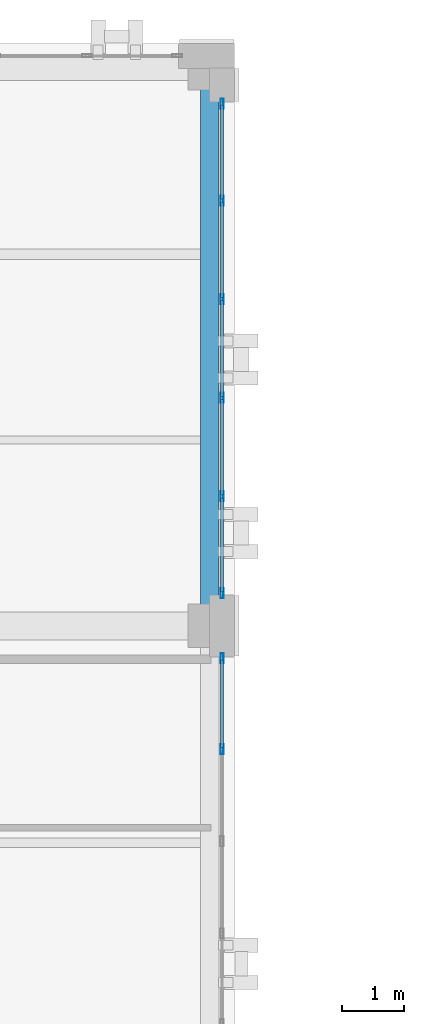
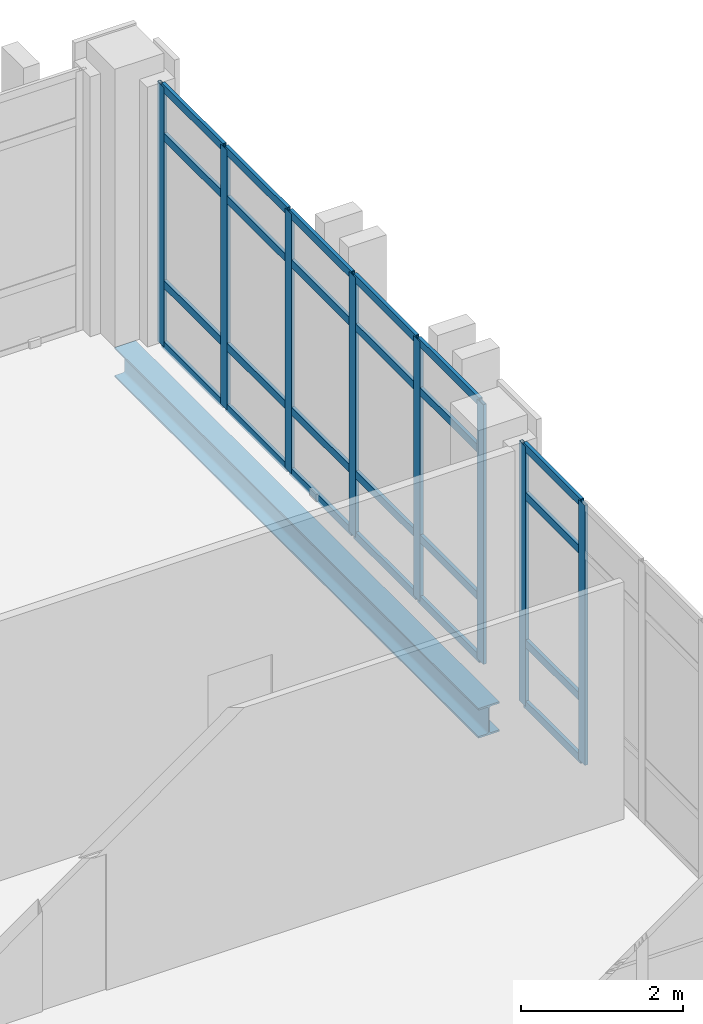
# One storey, part 109 of 158: 32 members, 1 beam, 2 elements without a shape of their own.
"""IFC4 building model written with IfcOpenShell, lengths in metres."""

import ifcopenshell
import ifcopenshell.guid

model = None  # the IFC model being written
_history = None  # IfcOwnerHistory: only IFC2X3 demands one
_inside = {}  # id of a spatial element -> (the spatial element, [elements in it])
_under = {}  # id of a project, library or spatial element -> (it, [spatial elements below it])
_declared = {}  # id of a project -> (the project, [libraries it declares])
_typed = {}  # id of a type object -> (the type object, [elements of that type])
_made_of = {}  # id of a material, layer set ... -> (it, [elements and type objects made of it])


def new_model(schema):
    """Start an empty IFC model of exactly this schema.

    Asked for "IFC4X3", IfcOpenShell would pick the latest addendum, in which some entities
    have other attributes; the version numbers below select the first issue.
    IFC2X3 requires an IfcOwnerHistory on every rooted entity: one is made here for all.
    """
    global model, _history
    if schema == "IFC4X3":
        model = ifcopenshell.file(schema_version=(4, 3, 0, 0))
    else:
        model = ifcopenshell.file(schema=schema)
    _inside.clear()
    _under.clear()
    _declared.clear()
    _typed.clear()
    _made_of.clear()
    _history = None
    if model.schema == "IFC2X3":
        org = make("IfcOrganization", Name="unknown")
        user = make(
            "IfcPersonAndOrganization",
            ThePerson=make("IfcPerson", FamilyName="unknown"),
            TheOrganization=org,
        )
        app = make(
            "IfcApplication",
            ApplicationDeveloper=org,
            Version="unknown",
            ApplicationFullName="unknown",
            ApplicationIdentifier="unknown",
        )
        _history = make(
            "IfcOwnerHistory",
            OwningUser=user,
            OwningApplication=app,
            ChangeAction="ADDED",
            CreationDate=0,
        )
    return model


def make(cls, **values):
    """One entity of the class cls with the attributes given. An attribute that is None is left unset."""
    return model.create_entity(
        cls, **{name: value for name, value in values.items() if value is not None}
    )


def rooted(cls, **values):
    """An entity with a GlobalId (a new one), such as an element, a storey or a relation."""
    return make(cls, GlobalId=ifcopenshell.guid.new(), OwnerHistory=_history, **values)


def si_unit(unit_type, name, prefix=None):
    """IfcSIUnit, for example si_unit("LENGTHUNIT", "METRE", prefix="MILLI")."""
    return make("IfcSIUnit", UnitType=unit_type, Prefix=prefix, Name=name)


def assignment(units):
    """IfcUnitAssignment: the units of a project."""
    return None if units is None else make("IfcUnitAssignment", Units=units)


def point(xyz):
    """IfcCartesianPoint."""
    return None if xyz is None else make("IfcCartesianPoint", Coordinates=xyz)


def direction(xyz):
    """IfcDirection."""
    return None if xyz is None else make("IfcDirection", DirectionRatios=xyz)


def frame(location, z_axis=None, x_axis=None):
    """IfcAxis2Placement3D, a coordinate frame: its origin and axes. An axis left out is left unset."""
    return make(
        "IfcAxis2Placement3D",
        Location=point(location),
        Axis=direction(z_axis),
        RefDirection=direction(x_axis),
    )


def frame_2d(location, x_axis=None):
    """IfcAxis2Placement2D, a coordinate frame in the plane: its origin and x axis."""
    return make(
        "IfcAxis2Placement2D", Location=point(location), RefDirection=direction(x_axis)
    )


def origin():
    """The frame at (0, 0, 0) with its axes left unset."""
    return frame((0.0, 0.0, 0.0))


def origin_2d():
    """The frame at (0, 0) in the plane with its x axis left unset."""
    return frame_2d((0.0, 0.0))


def place(relative_to, where):
    """IfcLocalPlacement: puts the frame where relative to a parent placement (None: the world)."""
    return make(
        "IfcLocalPlacement", PlacementRelTo=relative_to, RelativePlacement=where
    )


def context(
    kind, dimensions, precision=None, world=None, true_north=None, identifier=None
):
    """IfcGeometricRepresentationContext, for example the 3D "Model" context."""
    return make(
        "IfcGeometricRepresentationContext",
        ContextIdentifier=identifier,
        ContextType=kind,
        CoordinateSpaceDimension=dimensions,
        Precision=precision,
        WorldCoordinateSystem=world,
        TrueNorth=true_north,
    )


def subcontext(parent, identifier, kind, view, scale=None):
    """IfcGeometricRepresentationSubContext, for example "Body" below "Model"."""
    return make(
        "IfcGeometricRepresentationSubContext",
        ContextIdentifier=identifier,
        ContextType=kind,
        ParentContext=parent,
        TargetScale=scale,
        TargetView=view,
    )


def project(units=None, contexts=None):
    """IfcProject with its units and contexts."""
    return rooted(
        "IfcProject",
        Name="project",
        RepresentationContexts=contexts,
        UnitsInContext=assignment(units),
    )


def spatial(cls, under=None, at=None, **own):
    """A site, building, storey or space (cls), placed at a placement, below another one or the project."""
    s = rooted(cls, ObjectPlacement=at, **own)
    if under is not None:
        _under.setdefault(under.id(), (under, []))[1].append(s)
    return s


def profile(cls, at=None, kind="AREA", **sizes):
    """A parametric profile (cls). Its sizes go by their IFC names, for example OverallWidth=200.0."""
    return make(cls, ProfileType=kind, Position=at, **sizes)


def hollow_rectangle(**sizes):
    """IfcRectangleHollowProfileDef."""
    return profile("IfcRectangleHollowProfileDef", **sizes)


def i_section(**sizes):
    """IfcIShapeProfileDef."""
    return profile("IfcIShapeProfileDef", **sizes)


def extrude(swept, where, along, depth):
    """IfcExtrudedAreaSolid: the profile swept, set in the frame where, extruded along a direction by depth."""
    return make(
        "IfcExtrudedAreaSolid",
        SweptArea=swept,
        Position=where,
        ExtrudedDirection=direction(along),
        Depth=depth,
    )


def shape(context_of_items, identifier, shape_type, items):
    """IfcShapeRepresentation: the items that make up one representation, for example the "Body"."""
    return make(
        "IfcShapeRepresentation",
        ContextOfItems=context_of_items,
        RepresentationIdentifier=identifier,
        RepresentationType=shape_type,
        Items=items,
    )


def material(Name=None, Category=None):
    """IfcMaterial."""
    return make("IfcMaterial", Name=Name, Category=Category)


def layer(
    of_material, thickness, ventilated=None, Name=None, Category=None, Priority=None
):
    """IfcMaterialLayer: one layer of a wall or slab, of a material (None: an air gap)."""
    return make(
        "IfcMaterialLayer",
        Material=of_material,
        LayerThickness=thickness,
        IsVentilated=ventilated,
        Name=Name,
        Category=Category,
        Priority=Priority,
    )


def layer_set(layers, Name=None):
    """IfcMaterialLayerSet."""
    return make("IfcMaterialLayerSet", MaterialLayers=layers, LayerSetName=Name)


def material_profile(
    of_material, cross_section, Name=None, Category=None, Priority=None
):
    """IfcMaterialProfile: a cross section and its material."""
    return make(
        "IfcMaterialProfile",
        Name=Name,
        Material=of_material,
        Profile=cross_section,
        Priority=Priority,
        Category=Category,
    )


def profile_set(profiles, Name=None, composite=None):
    """IfcMaterialProfileSet."""
    return make(
        "IfcMaterialProfileSet",
        Name=Name,
        MaterialProfiles=profiles,
        CompositeProfile=composite,
    )


def made_of(thing, what):
    """Note that an element or type object is made of a material, layer set ...; save() writes the relation."""
    if what is not None:
        _made_of.setdefault(what.id(), (what, []))[1].append(thing)
    return thing


def type_object(cls, material=None, **own):
    """A type object (cls), such as IfcWallType, which elements share."""
    return made_of(rooted(cls, **own), material)


def element(
    cls,
    number,
    at=None,
    inside=None,
    cuts=None,
    type_object=None,
    material=None,
    context=None,
    identifier="Body",
    shape_type=None,
    held_by="IfcProductDefinitionShape",
    body=None,
    shapes=None,
    **own,
):
    """One element of the class cls, such as IfcWall. Its Tag is "e" and its number.

    at: its placement. inside: the storey or other place that contains it. cuts: it is an
    opening in that element (IfcRelVoidsElement). A single representation is given by context,
    identifier, shape_type and body (its items); several are given by shapes. held_by: the class
    of the entity that holds the representations. save() writes the other relations.
    """
    e = rooted(cls, Tag="e%d" % number, ObjectPlacement=at, **own)
    if body is not None:
        shapes = [shape(context, identifier, shape_type, body)]
    if shapes is not None:
        e.Representation = make(held_by, Representations=shapes)
    if inside is not None:
        _inside.setdefault(inside.id(), (inside, []))[1].append(e)
    if cuts is not None:
        rooted(
            "IfcRelVoidsElement", RelatingBuildingElement=cuts, RelatedOpeningElement=e
        )
    if type_object is not None:
        _typed.setdefault(type_object.id(), (type_object, []))[1].append(e)
    return made_of(e, material)


def aggregate(whole, parts):
    """IfcRelAggregates: a whole, such as a stair, and the parts it consists of."""
    return rooted("IfcRelAggregates", RelatingObject=whole, RelatedObjects=parts)


def save(model, path):
    """Write the relations noted so far, then the file.

    IfcRelAggregates (storeys below a building ...), IfcRelContainedInSpatialStructure (elements
    in a storey), IfcRelDefinesByType, IfcRelAssociatesMaterial and IfcRelDeclares: one each for
    every whole, place, type object, material and project.
    """
    for whole, parts in _under.values():
        aggregate(whole, parts)
    for where, things in _inside.values():
        rooted(
            "IfcRelContainedInSpatialStructure",
            RelatedElements=things,
            RelatingStructure=where,
        )
    for kind, things in _typed.values():
        rooted("IfcRelDefinesByType", RelatedObjects=things, RelatingType=kind)
    for what, things in _made_of.values():
        rooted("IfcRelAssociatesMaterial", RelatedObjects=things, RelatingMaterial=what)
    for by, libraries in _declared.values():
        rooted("IfcRelDeclares", RelatingContext=by, RelatedDefinitions=libraries)
    model.write(path)


model = new_model("IFC4")

# Units and contexts
model_context = context("Model", 3, precision=1e-05, world=origin(), true_north=direction((0.0, 1.0)))
body_context = subcontext(model_context, "Body", "Model", "MODEL_VIEW")
ifc_project = project(units=[si_unit("LENGTHUNIT", "METRE"), si_unit("AREAUNIT", "SQUARE_METRE"), si_unit("VOLUMEUNIT", "CUBIC_METRE"), si_unit("PLANEANGLEUNIT", "RADIAN"), si_unit("MASSUNIT", "GRAM", prefix="KILO")], contexts=[model_context])

# Site, building, storey
site_placement = place(None, origin())
site = spatial("IfcSite", under=ifc_project, at=site_placement, CompositionType="ELEMENT")
building_placement = place(site_placement, origin())
building = spatial("IfcBuilding", under=site, at=building_placement, Name="Qalavern Law Courts", CompositionType="ELEMENT")
storey_placement = place(building_placement, frame((0.0, 0.0, 18.60009765625)))
storey = spatial("IfcBuildingStorey", under=building, at=storey_placement, Name="L04", CompositionType="ELEMENT", Elevation=18.60009765625)

# Curtain wall, members
ifc_material_1 = material(Name="Anodised aluminium and insulated glazing", Category="aluminium")
ifc_layer = layer(ifc_material_1, 0.166015625)
ifc_layer_set = layer_set([ifc_layer], Name="Anodised aluminium and insulated glazing")
curtain_wall_type = type_object("IfcCurtainWallType", Name="ENV-CW-LIB", PredefinedType="USERDEFINED", material=ifc_layer_set)
curtain_wall_1_placement = place(storey_placement, origin())
curtain_wall_1 = element("IfcCurtainWall", 1, at=curtain_wall_1_placement, inside=storey, type_object=curtain_wall_type, Name="V5 unitised curtain wall L04 east 1", ObjectType="UNITISED CURTAIN WALL", PredefinedType="USERDEFINED")
ifc_material_2 = material(Name="Anodised aluminium", Category="aluminium")
ifc_material_profile_1 = material_profile(ifc_material_2, hollow_rectangle(XDim=0.048095703125, YDim=0.159912109375, WallThickness=0.00390625, at=origin_2d()), Name="ALU MULLION 48x160")
ifc_profile_set_1 = profile_set([ifc_material_profile_1], Name="Anodised aluminium")
member_type_1 = type_object("IfcMemberType", Name="ENV-CWM-48x160", PredefinedType="MULLION", material=ifc_profile_set_1)
member_1_placement = place(storey_placement, frame((66.60009765625, 101.611328125, 0.0), z_axis=(0.0, 0.0, 1.0), x_axis=(-1.0, 0.0, 0.0)))
member_1 = element("IfcMember", 2, at=member_1_placement, type_object=member_type_1, Name="CW-05 mullion 4", PredefinedType="MULLION", context=body_context, shape_type="SweptSolid", body=[
    extrude(hollow_rectangle(XDim=0.048095703125, YDim=0.159912109375, WallThickness=0.00390625, at=origin_2d()), origin(), (0.0, 0.0, 1.0), 3.9248046875),
])
member_2_placement = place(storey_placement, frame((66.60009765625, 103.075927734375, 0.0), z_axis=(0.0, 0.0, 1.0), x_axis=(-1.0, 0.0, 0.0)))
member_2 = element("IfcMember", 3, at=member_2_placement, type_object=member_type_1, Name="CW-05 mullion 5", PredefinedType="MULLION", context=body_context, shape_type="SweptSolid", body=[
    extrude(hollow_rectangle(XDim=0.048095703125, YDim=0.159912109375, WallThickness=0.00390625, at=origin_2d()), origin(), (0.0, 0.0, 1.0), 3.9248046875),
])

curtain_wall_2_placement = place(storey_placement, origin())
curtain_wall_2 = element("IfcCurtainWall", 4, at=curtain_wall_2_placement, inside=storey, type_object=curtain_wall_type, Name="V5 unitised curtain wall L04 east 2", ObjectType="UNITISED CURTAIN WALL", PredefinedType="USERDEFINED")
member_3_placement = place(storey_placement, frame((66.60009765625, 104.1240234375, 0.0), z_axis=(0.0, 0.0, 1.0), x_axis=(-1.0, 0.0, 0.0)))
member_3 = element("IfcMember", 5, at=member_3_placement, type_object=member_type_1, Name="CW-05 mullion 1", PredefinedType="MULLION", context=body_context, shape_type="SweptSolid", body=[
    extrude(hollow_rectangle(XDim=0.048095703125, YDim=0.159912109375, WallThickness=0.00390625, at=origin_2d()), origin(), (0.0, 0.0, 1.0), 3.9248046875),
])
member_4_placement = place(storey_placement, frame((66.60009765625, 105.69091796875, 0.0), z_axis=(0.0, 0.0, 1.0), x_axis=(-1.0, 0.0, 0.0)))
member_4 = element("IfcMember", 6, at=member_4_placement, type_object=member_type_1, Name="CW-05 mullion 2", PredefinedType="MULLION", context=body_context, shape_type="SweptSolid", body=[
    extrude(hollow_rectangle(XDim=0.048095703125, YDim=0.159912109375, WallThickness=0.00390625, at=origin_2d()), origin(), (0.0, 0.0, 1.0), 3.9248046875),
])
member_5_placement = place(storey_placement, frame((66.60009765625, 107.281982421875, 0.0), z_axis=(0.0, 0.0, 1.0), x_axis=(-1.0, 0.0, 0.0)))
member_5 = element("IfcMember", 7, at=member_5_placement, type_object=member_type_1, Name="CW-05 mullion 3", PredefinedType="MULLION", context=body_context, shape_type="SweptSolid", body=[
    extrude(hollow_rectangle(XDim=0.048095703125, YDim=0.159912109375, WallThickness=0.00390625, at=origin_2d()), origin(), (0.0, 0.0, 1.0), 3.9248046875),
])
member_6_placement = place(storey_placement, frame((66.60009765625, 108.873046875, 0.0), z_axis=(0.0, 0.0, 1.0), x_axis=(-1.0, 0.0, 0.0)))
member_6 = element("IfcMember", 8, at=member_6_placement, type_object=member_type_1, Name="CW-05 mullion 4", PredefinedType="MULLION", context=body_context, shape_type="SweptSolid", body=[
    extrude(hollow_rectangle(XDim=0.048095703125, YDim=0.159912109375, WallThickness=0.00390625, at=origin_2d()), origin(), (0.0, 0.0, 1.0), 3.9248046875),
])
member_7_placement = place(storey_placement, frame((66.60009765625, 110.464111328125, 0.0), z_axis=(0.0, 0.0, 1.0), x_axis=(-1.0, 0.0, 0.0)))
member_7 = element("IfcMember", 9, at=member_7_placement, type_object=member_type_1, Name="CW-05 mullion 5", PredefinedType="MULLION", context=body_context, shape_type="SweptSolid", body=[
    extrude(hollow_rectangle(XDim=0.048095703125, YDim=0.159912109375, WallThickness=0.00390625, at=origin_2d()), origin(), (0.0, 0.0, 1.0), 3.9248046875),
])
member_8_placement = place(storey_placement, frame((66.60009765625, 112.031005859375, 0.0), z_axis=(0.0, 0.0, 1.0), x_axis=(-1.0, 0.0, 0.0)))
member_8 = element("IfcMember", 10, at=member_8_placement, type_object=member_type_1, Name="CW-05 mullion 6", PredefinedType="MULLION", context=body_context, shape_type="SweptSolid", body=[
    extrude(hollow_rectangle(XDim=0.048095703125, YDim=0.159912109375, WallThickness=0.00390625, at=origin_2d()), origin(), (0.0, 0.0, 1.0), 3.9248046875),
])

# Member
ifc_material_profile_2 = material_profile(ifc_material_2, hollow_rectangle(XDim=0.048095703125, YDim=0.1201171875, WallThickness=0.00390625, at=origin_2d()), Name="ALU TRANSOM 48x120")
ifc_profile_set_2 = profile_set([ifc_material_profile_2], Name="Anodised aluminium")
member_type_2 = type_object("IfcMemberType", Name="ENV-CWT-48x120", PredefinedType="USERDEFINED", material=ifc_profile_set_2)
member_9_placement = place(storey_placement, frame((66.60009765625, 101.63525390625, 0.02392578125), z_axis=(0.0, 1.0, 0.0), x_axis=(-1.0, 0.0, 0.0)))
member_9 = element("IfcMember", 11, at=member_9_placement, type_object=member_type_2, Name="CW-05 transom 4.1", ObjectType="TRANSOM", PredefinedType="USERDEFINED", context=body_context, shape_type="SweptSolid", body=[
    extrude(hollow_rectangle(XDim=0.048095703125, YDim=0.1201171875, WallThickness=0.00390625, at=origin_2d()), origin(), (0.0, 0.0, 1.0), 1.416748046875),
])

member_10_placement = place(storey_placement, frame((66.60009765625, 101.63525390625, 0.949951171875), z_axis=(0.0, 1.0, 0.0), x_axis=(-1.0, 0.0, 0.0)))
member_10 = element("IfcMember", 12, at=member_10_placement, type_object=member_type_2, Name="CW-05 transom 4.2", ObjectType="TRANSOM", PredefinedType="USERDEFINED", context=body_context, shape_type="SweptSolid", body=[
    extrude(hollow_rectangle(XDim=0.048095703125, YDim=0.1201171875, WallThickness=0.00390625, at=origin_2d()), origin(), (0.0, 0.0, 1.0), 1.416748046875),
])

member_11_placement = place(storey_placement, frame((66.60009765625, 101.63525390625, 3.1748046875), z_axis=(0.0, 1.0, 0.0), x_axis=(-1.0, 0.0, 0.0)))
member_11 = element("IfcMember", 13, at=member_11_placement, type_object=member_type_2, Name="CW-05 transom 4.3", ObjectType="TRANSOM", PredefinedType="USERDEFINED", context=body_context, shape_type="SweptSolid", body=[
    extrude(hollow_rectangle(XDim=0.048095703125, YDim=0.1201171875, WallThickness=0.00390625, at=origin_2d()), origin(), (0.0, 0.0, 1.0), 1.416748046875),
])

member_12_placement = place(storey_placement, frame((66.60009765625, 101.63525390625, 3.90087890625), z_axis=(0.0, 1.0, 0.0), x_axis=(-1.0, 0.0, 0.0)))
member_12 = element("IfcMember", 14, at=member_12_placement, type_object=member_type_2, Name="CW-05 transom 4.4", ObjectType="TRANSOM", PredefinedType="USERDEFINED", context=body_context, shape_type="SweptSolid", body=[
    extrude(hollow_rectangle(XDim=0.048095703125, YDim=0.1201171875, WallThickness=0.00390625, at=origin_2d()), origin(), (0.0, 0.0, 1.0), 1.416748046875),
])

aggregate(curtain_wall_1, [member_1, member_2, member_9, member_10, member_11, member_12])

member_13_placement = place(storey_placement, frame((66.60009765625, 104.14794921875, 0.02392578125), z_axis=(0.0, 1.0, 0.0), x_axis=(-1.0, 0.0, 0.0)))
member_13 = element("IfcMember", 15, at=member_13_placement, type_object=member_type_2, Name="CW-05 transom 1.1", ObjectType="TRANSOM", PredefinedType="USERDEFINED", context=body_context, shape_type="SweptSolid", body=[
    extrude(hollow_rectangle(XDim=0.048095703125, YDim=0.1201171875, WallThickness=0.00390625, at=origin_2d()), origin(), (0.0, 0.0, 1.0), 1.51904296875),
])

member_14_placement = place(storey_placement, frame((66.60009765625, 104.14794921875, 0.949951171875), z_axis=(0.0, 1.0, 0.0), x_axis=(-1.0, 0.0, 0.0)))
member_14 = element("IfcMember", 16, at=member_14_placement, type_object=member_type_2, Name="CW-05 transom 1.2", ObjectType="TRANSOM", PredefinedType="USERDEFINED", context=body_context, shape_type="SweptSolid", body=[
    extrude(hollow_rectangle(XDim=0.048095703125, YDim=0.1201171875, WallThickness=0.00390625, at=origin_2d()), origin(), (0.0, 0.0, 1.0), 1.51904296875),
])

member_15_placement = place(storey_placement, frame((66.60009765625, 104.14794921875, 3.1748046875), z_axis=(0.0, 1.0, 0.0), x_axis=(-1.0, 0.0, 0.0)))
member_15 = element("IfcMember", 17, at=member_15_placement, type_object=member_type_2, Name="CW-05 transom 1.3", ObjectType="TRANSOM", PredefinedType="USERDEFINED", context=body_context, shape_type="SweptSolid", body=[
    extrude(hollow_rectangle(XDim=0.048095703125, YDim=0.1201171875, WallThickness=0.00390625, at=origin_2d()), origin(), (0.0, 0.0, 1.0), 1.51904296875),
])

member_16_placement = place(storey_placement, frame((66.60009765625, 104.14794921875, 3.90087890625), z_axis=(0.0, 1.0, 0.0), x_axis=(-1.0, 0.0, 0.0)))
member_16 = element("IfcMember", 18, at=member_16_placement, type_object=member_type_2, Name="CW-05 transom 1.4", ObjectType="TRANSOM", PredefinedType="USERDEFINED", context=body_context, shape_type="SweptSolid", body=[
    extrude(hollow_rectangle(XDim=0.048095703125, YDim=0.1201171875, WallThickness=0.00390625, at=origin_2d()), origin(), (0.0, 0.0, 1.0), 1.51904296875),
])

member_17_placement = place(storey_placement, frame((66.60009765625, 105.715087890625, 0.02392578125), z_axis=(0.0, 1.0, 0.0), x_axis=(-1.0, 0.0, 0.0)))
member_17 = element("IfcMember", 19, at=member_17_placement, type_object=member_type_2, Name="CW-05 transom 2.1", ObjectType="TRANSOM", PredefinedType="USERDEFINED", context=body_context, shape_type="SweptSolid", body=[
    extrude(hollow_rectangle(XDim=0.048095703125, YDim=0.1201171875, WallThickness=0.00390625, at=origin_2d()), origin(), (0.0, 0.0, 1.0), 1.54296875),
])

member_18_placement = place(storey_placement, frame((66.60009765625, 105.715087890625, 0.949951171875), z_axis=(0.0, 1.0, 0.0), x_axis=(-1.0, 0.0, 0.0)))
member_18 = element("IfcMember", 20, at=member_18_placement, type_object=member_type_2, Name="CW-05 transom 2.2", ObjectType="TRANSOM", PredefinedType="USERDEFINED", context=body_context, shape_type="SweptSolid", body=[
    extrude(hollow_rectangle(XDim=0.048095703125, YDim=0.1201171875, WallThickness=0.00390625, at=origin_2d()), origin(), (0.0, 0.0, 1.0), 1.54296875),
])

member_19_placement = place(storey_placement, frame((66.60009765625, 105.715087890625, 3.1748046875), z_axis=(0.0, 1.0, 0.0), x_axis=(-1.0, 0.0, 0.0)))
member_19 = element("IfcMember", 21, at=member_19_placement, type_object=member_type_2, Name="CW-05 transom 2.3", ObjectType="TRANSOM", PredefinedType="USERDEFINED", context=body_context, shape_type="SweptSolid", body=[
    extrude(hollow_rectangle(XDim=0.048095703125, YDim=0.1201171875, WallThickness=0.00390625, at=origin_2d()), origin(), (0.0, 0.0, 1.0), 1.54296875),
])

member_20_placement = place(storey_placement, frame((66.60009765625, 105.715087890625, 3.90087890625), z_axis=(0.0, 1.0, 0.0), x_axis=(-1.0, 0.0, 0.0)))
member_20 = element("IfcMember", 22, at=member_20_placement, type_object=member_type_2, Name="CW-05 transom 2.4", ObjectType="TRANSOM", PredefinedType="USERDEFINED", context=body_context, shape_type="SweptSolid", body=[
    extrude(hollow_rectangle(XDim=0.048095703125, YDim=0.1201171875, WallThickness=0.00390625, at=origin_2d()), origin(), (0.0, 0.0, 1.0), 1.54296875),
])

member_21_placement = place(storey_placement, frame((66.60009765625, 107.305908203125, 0.02392578125), z_axis=(0.0, 1.0, 0.0), x_axis=(-1.0, 0.0, 0.0)))
member_21 = element("IfcMember", 23, at=member_21_placement, type_object=member_type_2, Name="CW-05 transom 3.1", ObjectType="TRANSOM", PredefinedType="USERDEFINED", context=body_context, shape_type="SweptSolid", body=[
    extrude(hollow_rectangle(XDim=0.048095703125, YDim=0.1201171875, WallThickness=0.00390625, at=origin_2d()), origin(), (0.0, 0.0, 1.0), 1.543212890625),
])

member_22_placement = place(storey_placement, frame((66.60009765625, 107.305908203125, 0.949951171875), z_axis=(0.0, 1.0, 0.0), x_axis=(-1.0, 0.0, 0.0)))
member_22 = element("IfcMember", 24, at=member_22_placement, type_object=member_type_2, Name="CW-05 transom 3.2", ObjectType="TRANSOM", PredefinedType="USERDEFINED", context=body_context, shape_type="SweptSolid", body=[
    extrude(hollow_rectangle(XDim=0.048095703125, YDim=0.1201171875, WallThickness=0.00390625, at=origin_2d()), origin(), (0.0, 0.0, 1.0), 1.543212890625),
])

member_23_placement = place(storey_placement, frame((66.60009765625, 107.305908203125, 3.1748046875), z_axis=(0.0, 1.0, 0.0), x_axis=(-1.0, 0.0, 0.0)))
member_23 = element("IfcMember", 25, at=member_23_placement, type_object=member_type_2, Name="CW-05 transom 3.3", ObjectType="TRANSOM", PredefinedType="USERDEFINED", context=body_context, shape_type="SweptSolid", body=[
    extrude(hollow_rectangle(XDim=0.048095703125, YDim=0.1201171875, WallThickness=0.00390625, at=origin_2d()), origin(), (0.0, 0.0, 1.0), 1.543212890625),
])

member_24_placement = place(storey_placement, frame((66.60009765625, 107.305908203125, 3.90087890625), z_axis=(0.0, 1.0, 0.0), x_axis=(-1.0, 0.0, 0.0)))
member_24 = element("IfcMember", 26, at=member_24_placement, type_object=member_type_2, Name="CW-05 transom 3.4", ObjectType="TRANSOM", PredefinedType="USERDEFINED", context=body_context, shape_type="SweptSolid", body=[
    extrude(hollow_rectangle(XDim=0.048095703125, YDim=0.1201171875, WallThickness=0.00390625, at=origin_2d()), origin(), (0.0, 0.0, 1.0), 1.543212890625),
])

member_25_placement = place(storey_placement, frame((66.60009765625, 108.89697265625, 0.02392578125), z_axis=(0.0, 1.0, 0.0), x_axis=(-1.0, 0.0, 0.0)))
member_25 = element("IfcMember", 27, at=member_25_placement, type_object=member_type_2, Name="CW-05 transom 4.1", ObjectType="TRANSOM", PredefinedType="USERDEFINED", context=body_context, shape_type="SweptSolid", body=[
    extrude(hollow_rectangle(XDim=0.048095703125, YDim=0.1201171875, WallThickness=0.00390625, at=origin_2d()), origin(), (0.0, 0.0, 1.0), 1.54296875),
])

member_26_placement = place(storey_placement, frame((66.60009765625, 108.89697265625, 0.949951171875), z_axis=(0.0, 1.0, 0.0), x_axis=(-1.0, 0.0, 0.0)))
member_26 = element("IfcMember", 28, at=member_26_placement, type_object=member_type_2, Name="CW-05 transom 4.2", ObjectType="TRANSOM", PredefinedType="USERDEFINED", context=body_context, shape_type="SweptSolid", body=[
    extrude(hollow_rectangle(XDim=0.048095703125, YDim=0.1201171875, WallThickness=0.00390625, at=origin_2d()), origin(), (0.0, 0.0, 1.0), 1.54296875),
])

member_27_placement = place(storey_placement, frame((66.60009765625, 108.89697265625, 3.1748046875), z_axis=(0.0, 1.0, 0.0), x_axis=(-1.0, 0.0, 0.0)))
member_27 = element("IfcMember", 29, at=member_27_placement, type_object=member_type_2, Name="CW-05 transom 4.3", ObjectType="TRANSOM", PredefinedType="USERDEFINED", context=body_context, shape_type="SweptSolid", body=[
    extrude(hollow_rectangle(XDim=0.048095703125, YDim=0.1201171875, WallThickness=0.00390625, at=origin_2d()), origin(), (0.0, 0.0, 1.0), 1.54296875),
])

member_28_placement = place(storey_placement, frame((66.60009765625, 108.89697265625, 3.90087890625), z_axis=(0.0, 1.0, 0.0), x_axis=(-1.0, 0.0, 0.0)))
member_28 = element("IfcMember", 30, at=member_28_placement, type_object=member_type_2, Name="CW-05 transom 4.4", ObjectType="TRANSOM", PredefinedType="USERDEFINED", context=body_context, shape_type="SweptSolid", body=[
    extrude(hollow_rectangle(XDim=0.048095703125, YDim=0.1201171875, WallThickness=0.00390625, at=origin_2d()), origin(), (0.0, 0.0, 1.0), 1.54296875),
])

member_29_placement = place(storey_placement, frame((66.60009765625, 110.488037109375, 0.02392578125), z_axis=(0.0, 1.0, 0.0), x_axis=(-1.0, 0.0, 0.0)))
member_29 = element("IfcMember", 31, at=member_29_placement, type_object=member_type_2, Name="CW-05 transom 5.1", ObjectType="TRANSOM", PredefinedType="USERDEFINED", context=body_context, shape_type="SweptSolid", body=[
    extrude(hollow_rectangle(XDim=0.048095703125, YDim=0.1201171875, WallThickness=0.00390625, at=origin_2d()), origin(), (0.0, 0.0, 1.0), 1.51904296875),
])

member_30_placement = place(storey_placement, frame((66.60009765625, 110.488037109375, 0.949951171875), z_axis=(0.0, 1.0, 0.0), x_axis=(-1.0, 0.0, 0.0)))
member_30 = element("IfcMember", 32, at=member_30_placement, type_object=member_type_2, Name="CW-05 transom 5.2", ObjectType="TRANSOM", PredefinedType="USERDEFINED", context=body_context, shape_type="SweptSolid", body=[
    extrude(hollow_rectangle(XDim=0.048095703125, YDim=0.1201171875, WallThickness=0.00390625, at=origin_2d()), origin(), (0.0, 0.0, 1.0), 1.51904296875),
])

member_31_placement = place(storey_placement, frame((66.60009765625, 110.488037109375, 3.1748046875), z_axis=(0.0, 1.0, 0.0), x_axis=(-1.0, 0.0, 0.0)))
member_31 = element("IfcMember", 33, at=member_31_placement, type_object=member_type_2, Name="CW-05 transom 5.3", ObjectType="TRANSOM", PredefinedType="USERDEFINED", context=body_context, shape_type="SweptSolid", body=[
    extrude(hollow_rectangle(XDim=0.048095703125, YDim=0.1201171875, WallThickness=0.00390625, at=origin_2d()), origin(), (0.0, 0.0, 1.0), 1.51904296875),
])

member_32_placement = place(storey_placement, frame((66.60009765625, 110.488037109375, 3.90087890625), z_axis=(0.0, 1.0, 0.0), x_axis=(-1.0, 0.0, 0.0)))
member_32 = element("IfcMember", 34, at=member_32_placement, type_object=member_type_2, Name="CW-05 transom 5.4", ObjectType="TRANSOM", PredefinedType="USERDEFINED", context=body_context, shape_type="SweptSolid", body=[
    extrude(hollow_rectangle(XDim=0.048095703125, YDim=0.1201171875, WallThickness=0.00390625, at=origin_2d()), origin(), (0.0, 0.0, 1.0), 1.51904296875),
])

aggregate(curtain_wall_2, [member_3, member_4, member_5, member_6, member_7, member_8, member_13, member_14, member_15, member_16, member_17, member_18, member_19, member_20, member_21, member_22, member_23, member_24, member_25, member_26, member_27, member_28, member_29, member_30, member_31, member_32])

# Beam
ifc_material_3 = material(Name="Steel S355", Category="steel")
ifc_material_profile_3 = material_profile(ifc_material_3, i_section(OverallWidth=0.300048828125, OverallDepth=0.449951171875, WebThickness=0.013916015625, FlangeThickness=0.02587890625, FilletRadius=0.027099609375, at=origin_2d()), Name="HEB 450")
ifc_profile_set_3 = profile_set([ifc_material_profile_3], Name="Steel S355")
beam_type = type_object("IfcBeamType", Name="STR-SP-HEB450", PredefinedType="SPANDREL", material=ifc_profile_set_3)
beam_placement = place(storey_placement, frame((66.39990234375, 103.60009765625, -0.505126953125), z_axis=(0.0, 1.0, 0.0), x_axis=(-1.0, 0.0, 0.0)))
element("IfcBeam", 35, at=beam_placement, inside=storey, type_object=beam_type, Name="V5 Y-beam 9-2 L04", PredefinedType="SPANDREL", context=body_context, shape_type="SweptSolid", body=[
    extrude(i_section(OverallWidth=0.300048828125, OverallDepth=0.449951171875, WebThickness=0.013916015625, FlangeThickness=0.02587890625, FilletRadius=0.027099609375, at=origin_2d()), origin(), (0.0, 0.0, 1.0), 9.0),
])

save(model, "model.ifc")
